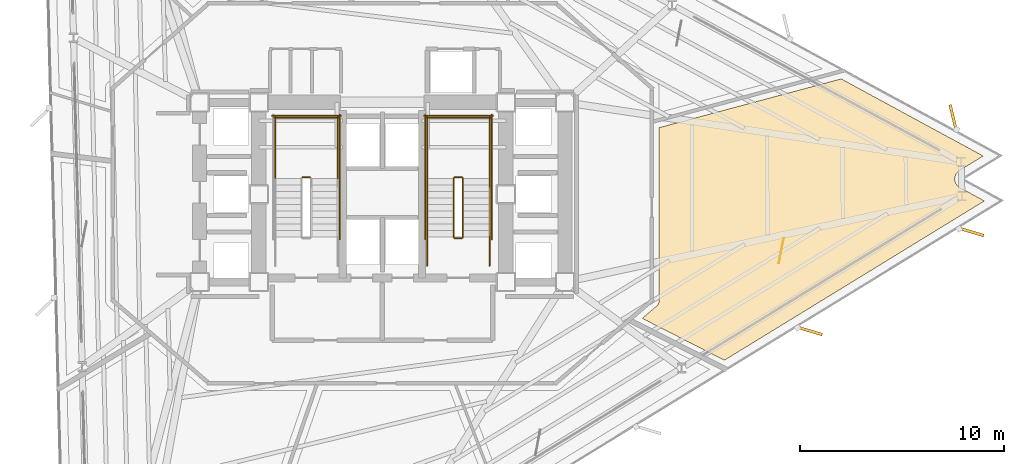
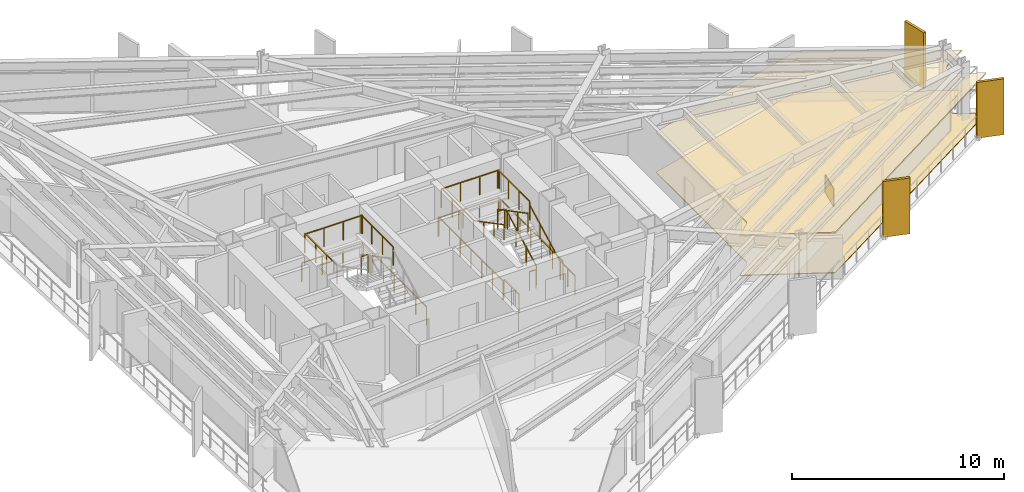
# One storey, part 13 of 14: 20 railings, 3 coverings, 3 shading devices.
"""IFC4 building model written with IfcOpenShell, lengths in metres."""

from ifc_helpers import new_model, si_unit, direction, frame, origin, origin_2d, place, context, subcontext, project, spatial, polyline, rectangle, outline, extrude, material, layer, layer_set, type_object, element, save


model = new_model("IFC4")

# Units and contexts
model_context = context("Model", 3, precision=1e-05, world=origin(), true_north=direction((0.0, 1.0)))
body_context = subcontext(model_context, "Body", "Model", "MODEL_VIEW")
ifc_project = project(units=[si_unit("LENGTHUNIT", "METRE"), si_unit("AREAUNIT", "SQUARE_METRE"), si_unit("VOLUMEUNIT", "CUBIC_METRE"), si_unit("PLANEANGLEUNIT", "RADIAN"), si_unit("MASSUNIT", "GRAM", prefix="KILO")], contexts=[model_context])

# Site, building, storey
site_placement = place(None, origin())
site = spatial("IfcSite", under=ifc_project, at=site_placement, CompositionType="ELEMENT")
building_placement = place(site_placement, origin())
building = spatial("IfcBuilding", under=site, at=building_placement, Name="Rocaltana Carrier Exchange", CompositionType="ELEMENT")
storey_placement = place(building_placement, frame((0.0, 0.0, 32.320068359375)))
storey = spatial("IfcBuildingStorey", under=building, at=storey_placement, Name="L10", CompositionType="ELEMENT", Elevation=32.320068359375)

# Coverings
ifc_material_1 = material(Name="Honed Bogota Sandstone Tile", Category="masonry")
ifc_layer_1 = layer(ifc_material_1, 0.0400390625)
ifc_layer_set_1 = layer_set([ifc_layer_1], Name="Honed Bogota Sandstone Tile")
covering_type_1 = type_object("IfcCoveringType", Name="Honed Stone Lobby Flooring 40", PredefinedType="FLOORING", material=ifc_layer_set_1)
covering_1_placement = place(storey_placement, origin())
element("IfcCovering", 1, at=covering_1_placement, inside=storey, type_object=covering_type_1, Name="L10 Executive Peering Boardroom Finish Floor", PredefinedType="FLOORING", context=body_context, shape_type="SweptSolid", body=[
    extrude(outline(polyline([(29.427490234375, 1.87109375), (28.260498046875, 1.156005859375), (28.248779296875, 1.148193359375), (28.232421875, 1.136962890625), (28.210205078125, 1.1201171875), (28.19482421875, 1.107421875), (28.17431640625, 1.08837890625), (28.160400390625, 1.073974609375), (28.14208984375, 1.052978515625), (28.129638671875, 1.03759765625), (28.11328125, 1.014892578125), (28.1025390625, 0.998046875), (28.088623046875, 0.973876953125), (28.07958984375, 0.9560546875), (28.068115234375, 0.9306640625), (28.060791015625, 0.912109375), (28.052001953125, 0.885498046875), (28.046630859375, 0.866455078125), (28.04052734375, 0.839111328125), (28.037109375, 0.819580078125), (28.03369140625, 0.791748046875), (28.031982421875, 0.77197265625), (28.031494140625, 0.743896484375), (28.031982421875, 0.72412109375), (28.0341796875, 0.6962890625), (28.03662109375, 0.676513671875), (28.04150390625, 0.64892578125), (28.0458984375, 0.629638671875), (28.053466796875, 0.602783203125), (28.059814453125, 0.583740234375), (28.070068359375, 0.557861328125), (28.078369140625, 0.539794921875), (28.091064453125, 0.514892578125), (28.10107421875, 0.49755859375), (28.1162109375, 0.47412109375), (28.1279296875, 0.4580078125), (28.1455078125, 0.436279296875), (28.15869140625, 0.421142578125), (28.177978515625, 0.4013671875), (28.192626953125, 0.3876953125), (28.214111328125, 0.369873046875), (28.22998046875, 0.35791015625), (28.253173828125, 0.342041015625), (28.270263671875, 0.331787109375), (28.2822265625, 0.32470703125), (29.485107421875, -0.328369140625), (16.751708984375, -8.13134765625), (12.728515625, -6.08154296875), (13.43505859375, -5.47265625), (13.44482421875, -5.4638671875), (13.450439453125, -5.45849609375), (13.468994140625, -5.439208984375), (13.47412109375, -5.433349609375), (13.490478515625, -5.41259765625), (13.4951171875, -5.40625), (13.509521484375, -5.3837890625), (13.51318359375, -5.377197265625), (13.525634765625, -5.353515625), (13.52880859375, -5.346435546875), (13.538818359375, -5.32177734375), (13.541259765625, -5.314453125), (13.548828125, -5.288818359375), (13.550537109375, -5.281494140625), (13.5556640625, -5.255126953125), (13.556884765625, -5.24755859375), (13.559326171875, -5.220947265625), (13.559814453125, -5.21337890625), (13.56005859375, -5.199951171875), (13.56005859375, 3.2607421875), (22.470458984375, 5.648193359375), (29.427490234375, 1.87109375)])), origin(), (0.0, 0.0, 1.0), 0.0400390625),
])
ifc_material_2 = material(Name="Anodised Aluminium 6063-T6", Category="aluminium")
ifc_layer_2 = layer(ifc_material_2, 0.0849609375)
ifc_layer_set_2 = layer_set([ifc_layer_2], Name="Anodised Aluminium 6063-T6")
covering_type_2 = type_object("IfcCoveringType", Name="Linear Baffle Acoustic Ceiling 85", PredefinedType="CEILING", material=ifc_layer_set_2)
covering_2_placement = place(storey_placement, frame((0.0, 0.0, 2.282958984375)))
element("IfcCovering", 2, at=covering_2_placement, inside=storey, type_object=covering_type_2, Name="L10 Executive Peering Boardroom Acoustic Ceiling", PredefinedType="CEILING", context=body_context, shape_type="SweptSolid", body=[
    extrude(outline(polyline([(29.427490234375, 1.87109375), (28.260498046875, 1.156005859375), (28.248779296875, 1.148193359375), (28.232421875, 1.136962890625), (28.210205078125, 1.1201171875), (28.19482421875, 1.107421875), (28.17431640625, 1.08837890625), (28.160400390625, 1.073974609375), (28.14208984375, 1.052978515625), (28.129638671875, 1.03759765625), (28.11328125, 1.014892578125), (28.1025390625, 0.998046875), (28.088623046875, 0.973876953125), (28.07958984375, 0.9560546875), (28.068115234375, 0.9306640625), (28.060791015625, 0.912109375), (28.052001953125, 0.885498046875), (28.046630859375, 0.866455078125), (28.04052734375, 0.839111328125), (28.037109375, 0.819580078125), (28.03369140625, 0.791748046875), (28.031982421875, 0.77197265625), (28.031494140625, 0.743896484375), (28.031982421875, 0.72412109375), (28.0341796875, 0.6962890625), (28.03662109375, 0.676513671875), (28.04150390625, 0.64892578125), (28.0458984375, 0.629638671875), (28.053466796875, 0.602783203125), (28.059814453125, 0.583740234375), (28.070068359375, 0.557861328125), (28.078369140625, 0.539794921875), (28.091064453125, 0.514892578125), (28.10107421875, 0.49755859375), (28.1162109375, 0.47412109375), (28.1279296875, 0.4580078125), (28.1455078125, 0.436279296875), (28.15869140625, 0.421142578125), (28.177978515625, 0.4013671875), (28.192626953125, 0.3876953125), (28.214111328125, 0.369873046875), (28.22998046875, 0.35791015625), (28.253173828125, 0.342041015625), (28.270263671875, 0.331787109375), (28.2822265625, 0.32470703125), (29.485107421875, -0.328369140625), (16.751708984375, -8.13134765625), (12.728515625, -6.08154296875), (13.43505859375, -5.47265625), (13.44482421875, -5.4638671875), (13.450439453125, -5.45849609375), (13.468994140625, -5.439208984375), (13.47412109375, -5.433349609375), (13.490478515625, -5.41259765625), (13.4951171875, -5.40625), (13.509521484375, -5.3837890625), (13.51318359375, -5.377197265625), (13.525634765625, -5.353515625), (13.52880859375, -5.346435546875), (13.538818359375, -5.32177734375), (13.541259765625, -5.314453125), (13.548828125, -5.288818359375), (13.550537109375, -5.281494140625), (13.5556640625, -5.255126953125), (13.556884765625, -5.24755859375), (13.559326171875, -5.220947265625), (13.559814453125, -5.21337890625), (13.56005859375, -5.199951171875), (13.56005859375, 3.2607421875), (22.470458984375, 5.648193359375), (29.427490234375, 1.87109375)])), origin(), (0.0, 0.0, 1.0), 0.0849609375),
])

# Railings
ifc_material_3 = material(Name="Brushed Architectural Stainless Tube", Category="steel")
ifc_layer_3 = layer(ifc_material_3, 0.048095703125)
ifc_layer_set_3 = layer_set([ifc_layer_3], Name="Brushed Architectural Stainless Tube")
railing_type_1 = type_object("IfcRailingType", Name="Stair Wall Handrail 920", PredefinedType="HANDRAIL", material=ifc_layer_set_3)
railing_1_placement = place(storey_placement, frame((5.25, -2.10009765625, 0.16796875)))
element("IfcRailing", 3, at=railing_1_placement, inside=storey, type_object=railing_type_1, Name="L10 ST-2 stair handrail 1", PredefinedType="HANDRAIL", context=body_context, shape_type="SweptSolid", body=[
    extrude(rectangle(XDim=0.048095703125, YDim=0.048095703125, at=origin_2d()), frame((0.0, 0.0, 0.8759765625), z_axis=(0.0, 0.885411030485, 0.464808893091), x_axis=(-1.0, 0.0, 0.0)), (0.0, 0.0, 1.0), 3.2529296875),
    extrude(rectangle(XDim=0.0419921875, YDim=0.0419921875, at=origin_2d()), origin(), (0.0, 0.0, 1.0), 0.851806640625),
    extrude(rectangle(XDim=0.0419921875, YDim=0.0419921875, at=origin_2d()), frame((0.0, 0.9599609375, 0.50390625)), (0.0, 0.0, 1.0), 0.851806640625),
    extrude(rectangle(XDim=0.0419921875, YDim=0.0419921875, at=origin_2d()), frame((0.0, 1.920166015625, 1.008056640625)), (0.0, 0.0, 1.0), 0.851806640625),
    extrude(rectangle(XDim=0.0419921875, YDim=0.0419921875, at=origin_2d()), frame((0.0, 2.880126953125, 1.511962890625)), (0.0, 0.0, 1.0), 0.851806640625),
])
railing_2_placement = place(storey_placement, frame((2.18994140625, 0.780029296875, 1.847900390625)))
element("IfcRailing", 4, at=railing_2_placement, inside=storey, type_object=railing_type_1, Name="L10 ST-2 stair handrail 2", PredefinedType="HANDRAIL", context=body_context, shape_type="SweptSolid", body=[
    extrude(rectangle(XDim=0.048095703125, YDim=0.048095703125, at=origin_2d()), frame((0.0, 0.0, 0.8759765625), z_axis=(0.0, -0.885411030485, 0.464808893091), x_axis=(1.0, 0.0, 0.0)), (0.0, 0.0, 1.0), 3.2529296875),
    extrude(rectangle(XDim=0.0419921875, YDim=0.0419921875, at=origin_2d()), origin(), (0.0, 0.0, 1.0), 0.851806640625),
    extrude(rectangle(XDim=0.0419921875, YDim=0.0419921875, at=origin_2d()), frame((0.0, -0.9599609375, 0.50390625)), (0.0, 0.0, 1.0), 0.851806640625),
    extrude(rectangle(XDim=0.0419921875, YDim=0.0419921875, at=origin_2d()), frame((0.0, -1.920166015625, 1.008056640625)), (0.0, 0.0, 1.0), 0.851806640625),
    extrude(rectangle(XDim=0.0419921875, YDim=0.0419921875, at=origin_2d()), frame((0.0, -2.880126953125, 1.511962890625)), (0.0, 0.0, 1.0), 0.851806640625),
])
ifc_material_4 = material(Name="Powder-Coated Aluminium 6063-T6", Category="aluminium")
ifc_layer_4 = layer(ifc_material_4, 0.048095703125)
ifc_layer_set_4 = layer_set([ifc_layer_4], Name="Powder-Coated Aluminium 6063-T6")
railing_type_2 = type_object("IfcRailingType", Name="Stair Well Guardrail 1100", PredefinedType="GUARDRAIL", material=ifc_layer_set_4)
railing_3_placement = place(storey_placement, frame((-3.5400390625, 0.830078125, 1.679931640625)))
element("IfcRailing", 5, at=railing_3_placement, inside=storey, type_object=railing_type_2, Name="L10 ST-1 stair guard 2", PredefinedType="GUARDRAIL", context=body_context, shape_type="SweptSolid", body=[
    extrude(rectangle(XDim=0.048095703125, YDim=0.048095703125, at=origin_2d()), frame((0.0, 0.0, 1.076171875), z_axis=(-1.0, 0.0, 0.0), x_axis=(0.0, -1.0, 0.0)), (0.0, 0.0, 1.0), 0.35986328125),
    extrude(rectangle(XDim=0.0419921875, YDim=0.0419921875, at=origin_2d()), origin(), (0.0, 0.0, 1.0), 1.052001953125),
    extrude(rectangle(XDim=0.0419921875, YDim=0.0419921875, at=origin_2d()), frame((-0.35986328125, 0.0, 0.0)), (0.0, 0.0, 1.0), 1.052001953125),
])
for number, where, name in (
    (6, (-2.18994140625, 0.780029296875, 1.679931640625), "L10 ST-1 stair guard 3"),
    (7, (-5.25, 0.780029296875, 1.679931640625), "L10 ST-1 stair guard 4"),
):
    element("IfcRailing", number, at=place(storey_placement, frame(where)), inside=storey, type_object=railing_type_2, Name=name, PredefinedType="GUARDRAIL", context=body_context, shape_type="SweptSolid", body=[
        extrude(rectangle(XDim=0.048095703125, YDim=0.048095703125, at=origin_2d()), frame((0.0, 0.0, 1.076171875), z_axis=(0.0, 1.0, 0.0), x_axis=(-1.0, 0.0, 0.0)), (0.0, 0.0, 1.0), 3.02001953125),
        extrude(rectangle(XDim=0.0419921875, YDim=0.0419921875, at=origin_2d()), origin(), (0.0, 0.0, 1.0), 1.052001953125),
        extrude(rectangle(XDim=0.0419921875, YDim=0.0419921875, at=origin_2d()), frame((0.0, 1.006591796875, 0.0)), (0.0, 0.0, 1.0), 1.052001953125),
        extrude(rectangle(XDim=0.0419921875, YDim=0.0419921875, at=origin_2d()), frame((0.0, 2.013427734375, 0.0)), (0.0, 0.0, 1.0), 1.052001953125),
        extrude(rectangle(XDim=0.0419921875, YDim=0.0419921875, at=origin_2d()), frame((0.0, 3.02001953125, 0.0)), (0.0, 0.0, 1.0), 1.052001953125),
    ])
railing_4_placement = place(storey_placement, frame((-2.139892578125, 3.75, 1.679931640625)))
element("IfcRailing", 8, at=railing_4_placement, inside=storey, type_object=railing_type_2, Name="L10 ST-1 stair guard 5", PredefinedType="GUARDRAIL", context=body_context, shape_type="SweptSolid", body=[
    extrude(rectangle(XDim=0.048095703125, YDim=0.048095703125, at=origin_2d()), frame((0.0, 0.0, 1.076171875), z_axis=(-1.0, 0.0, 0.0), x_axis=(0.0, -1.0, 0.0)), (0.0, 0.0, 1.0), 3.16015625),
    extrude(rectangle(XDim=0.0419921875, YDim=0.0419921875, at=origin_2d()), origin(), (0.0, 0.0, 1.0), 1.052001953125),
    extrude(rectangle(XDim=0.0419921875, YDim=0.0419921875, at=origin_2d()), frame((-1.053466796875, 0.0, 0.0)), (0.0, 0.0, 1.0), 1.052001953125),
    extrude(rectangle(XDim=0.0419921875, YDim=0.0419921875, at=origin_2d()), frame((-2.106689453125, 0.0, 0.0)), (0.0, 0.0, 1.0), 1.052001953125),
    extrude(rectangle(XDim=0.0419921875, YDim=0.0419921875, at=origin_2d()), frame((-3.16015625, 0.0, 0.0)), (0.0, 0.0, 1.0), 1.052001953125),
])
railing_5_placement = place(storey_placement, frame((-2.090087890625, -2.199951171875, 0.0)))
element("IfcRailing", 9, at=railing_5_placement, inside=storey, type_object=railing_type_2, Name="L10 ST-1 stair guard 10", PredefinedType="GUARDRAIL", context=body_context, shape_type="SweptSolid", body=[
    extrude(rectangle(XDim=0.048095703125, YDim=0.048095703125, at=origin_2d()), frame((0.0, 0.0, 1.076171875), z_axis=(0.0, 1.0, 0.0), x_axis=(-1.0, 0.0, 0.0)), (0.0, 0.0, 1.0), 6.099853515625),
    extrude(rectangle(XDim=0.0419921875, YDim=0.0419921875, at=origin_2d()), origin(), (0.0, 0.0, 1.0), 1.052001953125),
    extrude(rectangle(XDim=0.0419921875, YDim=0.0419921875, at=origin_2d()), frame((0.0, 1.0166015625, 0.0)), (0.0, 0.0, 1.0), 1.052001953125),
    extrude(rectangle(XDim=0.0419921875, YDim=0.0419921875, at=origin_2d()), frame((0.0, 2.033203125, 0.0)), (0.0, 0.0, 1.0), 1.052001953125),
    extrude(rectangle(XDim=0.0419921875, YDim=0.0419921875, at=origin_2d()), frame((0.0, 3.0498046875, 0.0)), (0.0, 0.0, 1.0), 1.052001953125),
    extrude(rectangle(XDim=0.0419921875, YDim=0.0419921875, at=origin_2d()), frame((0.0, 4.066650390625, 0.0)), (0.0, 0.0, 1.0), 1.052001953125),
    extrude(rectangle(XDim=0.0419921875, YDim=0.0419921875, at=origin_2d()), frame((0.0, 5.083251953125, 0.0)), (0.0, 0.0, 1.0), 1.052001953125),
    extrude(rectangle(XDim=0.0419921875, YDim=0.0419921875, at=origin_2d()), frame((0.0, 6.099853515625, 0.0)), (0.0, 0.0, 1.0), 1.052001953125),
])
railing_6_placement = place(storey_placement, frame((-2.0400390625, 3.85009765625, 0.0)))
element("IfcRailing", 10, at=railing_6_placement, inside=storey, type_object=railing_type_2, Name="L10 ST-1 stair guard 12", PredefinedType="GUARDRAIL", context=body_context, shape_type="SweptSolid", body=[
    extrude(rectangle(XDim=0.048095703125, YDim=0.048095703125, at=origin_2d()), frame((0.0, 0.0, 1.076171875), z_axis=(-1.0, 0.0, 0.0), x_axis=(0.0, -1.0, 0.0)), (0.0, 0.0, 1.0), 3.35986328125),
    extrude(rectangle(XDim=0.0419921875, YDim=0.0419921875, at=origin_2d()), origin(), (0.0, 0.0, 1.0), 1.052001953125),
    extrude(rectangle(XDim=0.0419921875, YDim=0.0419921875, at=origin_2d()), frame((-1.119873046875, 0.0, 0.0)), (0.0, 0.0, 1.0), 1.052001953125),
    extrude(rectangle(XDim=0.0419921875, YDim=0.0419921875, at=origin_2d()), frame((-2.239990234375, 0.0, 0.0)), (0.0, 0.0, 1.0), 1.052001953125),
    extrude(rectangle(XDim=0.0419921875, YDim=0.0419921875, at=origin_2d()), frame((-3.35986328125, 0.0, 0.0)), (0.0, 0.0, 1.0), 1.052001953125),
])
railing_7_placement = place(storey_placement, frame((3.949951171875, -2.10009765625, 0.16796875)))
element("IfcRailing", 11, at=railing_7_placement, inside=storey, type_object=railing_type_2, Name="L10 ST-2 stair guard 1", PredefinedType="GUARDRAIL", context=body_context, shape_type="SweptSolid", body=[
    extrude(rectangle(XDim=0.048095703125, YDim=0.048095703125, at=origin_2d()), frame((0.0, 0.0, 1.076171875), z_axis=(0.0, 0.885411030485, 0.464808893091), x_axis=(-1.0, 0.0, 0.0)), (0.0, 0.0, 1.0), 3.2529296875),
    extrude(rectangle(XDim=0.0419921875, YDim=0.0419921875, at=origin_2d()), origin(), (0.0, 0.0, 1.0), 1.052001953125),
    extrude(rectangle(XDim=0.0419921875, YDim=0.0419921875, at=origin_2d()), frame((0.0, 0.9599609375, 0.50390625)), (0.0, 0.0, 1.0), 1.052001953125),
    extrude(rectangle(XDim=0.0419921875, YDim=0.0419921875, at=origin_2d()), frame((0.0, 1.920166015625, 1.008056640625)), (0.0, 0.0, 1.0), 1.052001953125),
    extrude(rectangle(XDim=0.0419921875, YDim=0.0419921875, at=origin_2d()), frame((0.0, 2.880126953125, 1.511962890625)), (0.0, 0.0, 1.0), 1.052001953125),
])
railing_8_placement = place(storey_placement, frame((3.89990234375, 0.830078125, 1.679931640625)))
element("IfcRailing", 12, at=railing_8_placement, inside=storey, type_object=railing_type_2, Name="L10 ST-2 stair guard 2", PredefinedType="GUARDRAIL", context=body_context, shape_type="SweptSolid", body=[
    extrude(rectangle(XDim=0.048095703125, YDim=0.048095703125, at=origin_2d()), frame((0.0, 0.0, 1.076171875), z_axis=(-1.0, 0.0, 0.0), x_axis=(0.0, -1.0, 0.0)), (0.0, 0.0, 1.0), 0.35986328125),
    extrude(rectangle(XDim=0.0419921875, YDim=0.0419921875, at=origin_2d()), origin(), (0.0, 0.0, 1.0), 1.052001953125),
    extrude(rectangle(XDim=0.0419921875, YDim=0.0419921875, at=origin_2d()), frame((-0.35986328125, 0.0, 0.0)), (0.0, 0.0, 1.0), 1.052001953125),
])
for number, where, name in (
    (13, (5.25, 0.780029296875, 1.679931640625), "L10 ST-2 stair guard 3"),
    (14, (2.18994140625, 0.780029296875, 1.679931640625), "L10 ST-2 stair guard 4"),
):
    element("IfcRailing", number, at=place(storey_placement, frame(where)), inside=storey, type_object=railing_type_2, Name=name, PredefinedType="GUARDRAIL", context=body_context, shape_type="SweptSolid", body=[
        extrude(rectangle(XDim=0.048095703125, YDim=0.048095703125, at=origin_2d()), frame((0.0, 0.0, 1.076171875), z_axis=(0.0, 1.0, 0.0), x_axis=(-1.0, 0.0, 0.0)), (0.0, 0.0, 1.0), 3.02001953125),
        extrude(rectangle(XDim=0.0419921875, YDim=0.0419921875, at=origin_2d()), origin(), (0.0, 0.0, 1.0), 1.052001953125),
        extrude(rectangle(XDim=0.0419921875, YDim=0.0419921875, at=origin_2d()), frame((0.0, 1.006591796875, 0.0)), (0.0, 0.0, 1.0), 1.052001953125),
        extrude(rectangle(XDim=0.0419921875, YDim=0.0419921875, at=origin_2d()), frame((0.0, 2.013427734375, 0.0)), (0.0, 0.0, 1.0), 1.052001953125),
        extrude(rectangle(XDim=0.0419921875, YDim=0.0419921875, at=origin_2d()), frame((0.0, 3.02001953125, 0.0)), (0.0, 0.0, 1.0), 1.052001953125),
    ])
railing_9_placement = place(storey_placement, frame((5.300048828125, 3.75, 1.679931640625)))
element("IfcRailing", 15, at=railing_9_placement, inside=storey, type_object=railing_type_2, Name="L10 ST-2 stair guard 5", PredefinedType="GUARDRAIL", context=body_context, shape_type="SweptSolid", body=[
    extrude(rectangle(XDim=0.048095703125, YDim=0.048095703125, at=origin_2d()), frame((0.0, 0.0, 1.076171875), z_axis=(-1.0, 0.0, 0.0), x_axis=(0.0, -1.0, 0.0)), (0.0, 0.0, 1.0), 3.16015625),
    extrude(rectangle(XDim=0.0419921875, YDim=0.0419921875, at=origin_2d()), origin(), (0.0, 0.0, 1.0), 1.052001953125),
    extrude(rectangle(XDim=0.0419921875, YDim=0.0419921875, at=origin_2d()), frame((-1.053466796875, 0.0, 0.0)), (0.0, 0.0, 1.0), 1.052001953125),
    extrude(rectangle(XDim=0.0419921875, YDim=0.0419921875, at=origin_2d()), frame((-2.106689453125, 0.0, 0.0)), (0.0, 0.0, 1.0), 1.052001953125),
    extrude(rectangle(XDim=0.0419921875, YDim=0.0419921875, at=origin_2d()), frame((-3.16015625, 0.0, 0.0)), (0.0, 0.0, 1.0), 1.052001953125),
])
railing_10_placement = place(storey_placement, frame((3.489990234375, 0.780029296875, 1.847900390625)))
element("IfcRailing", 16, at=railing_10_placement, inside=storey, type_object=railing_type_2, Name="L10 ST-2 stair guard 6", PredefinedType="GUARDRAIL", context=body_context, shape_type="SweptSolid", body=[
    extrude(rectangle(XDim=0.048095703125, YDim=0.048095703125, at=origin_2d()), frame((0.0, 0.0, 1.076171875), z_axis=(0.0, -0.885411030485, 0.464808893091), x_axis=(1.0, 0.0, 0.0)), (0.0, 0.0, 1.0), 3.2529296875),
    extrude(rectangle(XDim=0.0419921875, YDim=0.0419921875, at=origin_2d()), origin(), (0.0, 0.0, 1.0), 1.052001953125),
    extrude(rectangle(XDim=0.0419921875, YDim=0.0419921875, at=origin_2d()), frame((0.0, -0.9599609375, 0.50390625)), (0.0, 0.0, 1.0), 1.052001953125),
    extrude(rectangle(XDim=0.0419921875, YDim=0.0419921875, at=origin_2d()), frame((0.0, -1.920166015625, 1.008056640625)), (0.0, 0.0, 1.0), 1.052001953125),
    extrude(rectangle(XDim=0.0419921875, YDim=0.0419921875, at=origin_2d()), frame((0.0, -2.880126953125, 1.511962890625)), (0.0, 0.0, 1.0), 1.052001953125),
])
railing_11_placement = place(storey_placement, frame((3.89990234375, -2.14990234375, 0.0)))
element("IfcRailing", 17, at=railing_11_placement, inside=storey, type_object=railing_type_2, Name="L10 ST-2 stair guard 7", PredefinedType="GUARDRAIL", context=body_context, shape_type="SweptSolid", body=[
    extrude(rectangle(XDim=0.048095703125, YDim=0.048095703125, at=origin_2d()), frame((0.0, 0.0, 1.076171875), z_axis=(-1.0, 0.0, 0.0), x_axis=(0.0, -1.0, 0.0)), (0.0, 0.0, 1.0), 0.35986328125),
    extrude(rectangle(XDim=0.0419921875, YDim=0.0419921875, at=origin_2d()), origin(), (0.0, 0.0, 1.0), 1.052001953125),
    extrude(rectangle(XDim=0.0419921875, YDim=0.0419921875, at=origin_2d()), frame((-0.35986328125, 0.0, 0.0)), (0.0, 0.0, 1.0), 1.052001953125),
])
for number, where, name in (
    (18, (5.25, -3.5, 0.0), "L10 ST-2 stair guard 8"),
    (19, (2.18994140625, -3.5, 0.0), "L10 ST-2 stair guard 9"),
):
    element("IfcRailing", number, at=place(storey_placement, frame(where)), inside=storey, type_object=railing_type_2, Name=name, PredefinedType="GUARDRAIL", context=body_context, shape_type="SweptSolid", body=[
        extrude(rectangle(XDim=0.048095703125, YDim=0.048095703125, at=origin_2d()), frame((0.0, 0.0, 1.076171875), z_axis=(0.0, 1.0, 0.0), x_axis=(-1.0, 0.0, 0.0)), (0.0, 0.0, 1.0), 1.39990234375),
        extrude(rectangle(XDim=0.0419921875, YDim=0.0419921875, at=origin_2d()), origin(), (0.0, 0.0, 1.0), 1.052001953125),
        extrude(rectangle(XDim=0.0419921875, YDim=0.0419921875, at=origin_2d()), frame((0.0, 0.699951171875, 0.0)), (0.0, 0.0, 1.0), 1.052001953125),
        extrude(rectangle(XDim=0.0419921875, YDim=0.0419921875, at=origin_2d()), frame((0.0, 1.39990234375, 0.0)), (0.0, 0.0, 1.0), 1.052001953125),
    ])
for number, where, name in (
    (20, (5.35009765625, -2.199951171875, 0.0), "L10 ST-2 stair guard 10"),
    (21, (2.090087890625, -2.199951171875, 0.0), "L10 ST-2 stair guard 11"),
):
    element("IfcRailing", number, at=place(storey_placement, frame(where)), inside=storey, type_object=railing_type_2, Name=name, PredefinedType="GUARDRAIL", context=body_context, shape_type="SweptSolid", body=[
        extrude(rectangle(XDim=0.048095703125, YDim=0.048095703125, at=origin_2d()), frame((0.0, 0.0, 1.076171875), z_axis=(0.0, 1.0, 0.0), x_axis=(-1.0, 0.0, 0.0)), (0.0, 0.0, 1.0), 6.099853515625),
        extrude(rectangle(XDim=0.0419921875, YDim=0.0419921875, at=origin_2d()), origin(), (0.0, 0.0, 1.0), 1.052001953125),
        extrude(rectangle(XDim=0.0419921875, YDim=0.0419921875, at=origin_2d()), frame((0.0, 1.0166015625, 0.0)), (0.0, 0.0, 1.0), 1.052001953125),
        extrude(rectangle(XDim=0.0419921875, YDim=0.0419921875, at=origin_2d()), frame((0.0, 2.033203125, 0.0)), (0.0, 0.0, 1.0), 1.052001953125),
        extrude(rectangle(XDim=0.0419921875, YDim=0.0419921875, at=origin_2d()), frame((0.0, 3.0498046875, 0.0)), (0.0, 0.0, 1.0), 1.052001953125),
        extrude(rectangle(XDim=0.0419921875, YDim=0.0419921875, at=origin_2d()), frame((0.0, 4.066650390625, 0.0)), (0.0, 0.0, 1.0), 1.052001953125),
        extrude(rectangle(XDim=0.0419921875, YDim=0.0419921875, at=origin_2d()), frame((0.0, 5.083251953125, 0.0)), (0.0, 0.0, 1.0), 1.052001953125),
        extrude(rectangle(XDim=0.0419921875, YDim=0.0419921875, at=origin_2d()), frame((0.0, 6.099853515625, 0.0)), (0.0, 0.0, 1.0), 1.052001953125),
    ])
railing_12_placement = place(storey_placement, frame((5.39990234375, 3.85009765625, 0.0)))
element("IfcRailing", 22, at=railing_12_placement, inside=storey, type_object=railing_type_2, Name="L10 ST-2 stair guard 12", PredefinedType="GUARDRAIL", context=body_context, shape_type="SweptSolid", body=[
    extrude(rectangle(XDim=0.048095703125, YDim=0.048095703125, at=origin_2d()), frame((0.0, 0.0, 1.076171875), z_axis=(-1.0, 0.0, 0.0), x_axis=(0.0, -1.0, 0.0)), (0.0, 0.0, 1.0), 3.35986328125),
    extrude(rectangle(XDim=0.0419921875, YDim=0.0419921875, at=origin_2d()), origin(), (0.0, 0.0, 1.0), 1.052001953125),
    extrude(rectangle(XDim=0.0419921875, YDim=0.0419921875, at=origin_2d()), frame((-1.119873046875, 0.0, 0.0)), (0.0, 0.0, 1.0), 1.052001953125),
    extrude(rectangle(XDim=0.0419921875, YDim=0.0419921875, at=origin_2d()), frame((-2.239990234375, 0.0, 0.0)), (0.0, 0.0, 1.0), 1.052001953125),
    extrude(rectangle(XDim=0.0419921875, YDim=0.0419921875, at=origin_2d()), frame((-3.35986328125, 0.0, 0.0)), (0.0, 0.0, 1.0), 1.052001953125),
])

# Covering
ifc_material_5 = material(Name="Honed Piedra Muneca Sandstone", Category="masonry")
ifc_layer_5 = layer(ifc_material_5, 0.034912109375)
ifc_layer_set_5 = layer_set([ifc_layer_5], Name="Honed Piedra Muneca Sandstone")
covering_type_3 = type_object("IfcCoveringType", Name="Stone Facade Cladding 35", PredefinedType="CLADDING", material=ifc_layer_set_5)
covering_3_placement = place(storey_placement, frame((19.53515625, -2.76416015625, 0.0), z_axis=(0.0, 0.0, 1.0), x_axis=(0.190808995377, 0.981627183448, 0.0)))
element("IfcCovering", 23, at=covering_3_placement, inside=storey, type_object=covering_type_3, Name="L10 Stone Facade Cladding Panel 5", PredefinedType="CLADDING", context=body_context, shape_type="SweptSolid", body=[
    extrude(rectangle(XDim=1.25, YDim=0.034912109375, at=origin_2d()), origin(), (0.0, 0.0, 1.0), 1.050048828125),
])

# Shading devices
ifc_material_6 = material(Name="Honed Bogota Sandstone & Concrete C45/55", Category="masonry")
ifc_layer_6 = layer(ifc_material_6, 0.139892578125)
ifc_layer_set_6 = layer_set([ifc_layer_6], Name="Honed Bogota Sandstone & Concrete C45/55")
shading_device_type = type_object("IfcShadingDeviceType", Name="Vertical Sandstone Shading Fin 1320x140", PredefinedType="USERDEFINED", material=ifc_layer_set_6)
for number, where, z_axis, x_axis, name in (
    (24, (27.95751953125, 3.739501953125, -0.1201171875), (0.0, 0.0, 1.0), (-0.233445363856, 0.972369920398, 0.0), "L10 Sandstone Vertical Fin F1-01"),
    (25, (20.909912109375, -6.6865234375, -0.1201171875), (0.0, 0.0, 1.0), (0.958819734868, -0.284015344704, 0.0), "L10 Sandstone Vertical Fin F3-05"),
    (26, (28.822265625, -1.837646484375, -0.1201171875), (0.0, 0.0, 1.0), (0.958819734868, -0.284015344704, 0.0), "L10 Sandstone Vertical Fin F3-06"),
):
    element("IfcShadingDevice", number, at=place(storey_placement, frame(where, z_axis=z_axis, x_axis=x_axis)), inside=storey, type_object=shading_device_type, Name=name, ObjectType="FIN", PredefinedType="USERDEFINED", context=body_context, shape_type="SweptSolid", body=[
        extrude(rectangle(XDim=1.320068359375, YDim=0.139892578125, at=origin_2d()), origin(), (0.0, 0.0, 1.0), 3.218017578125),
    ])

save(model, "model.ifc")
